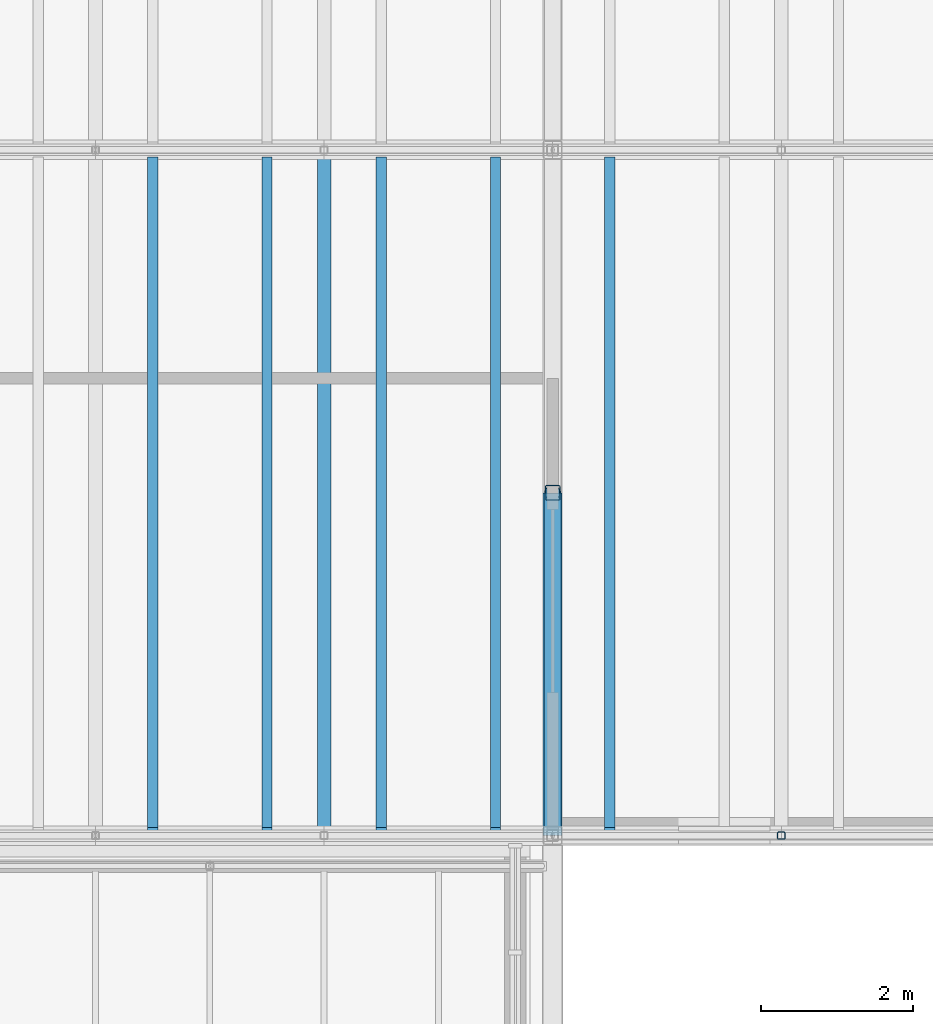
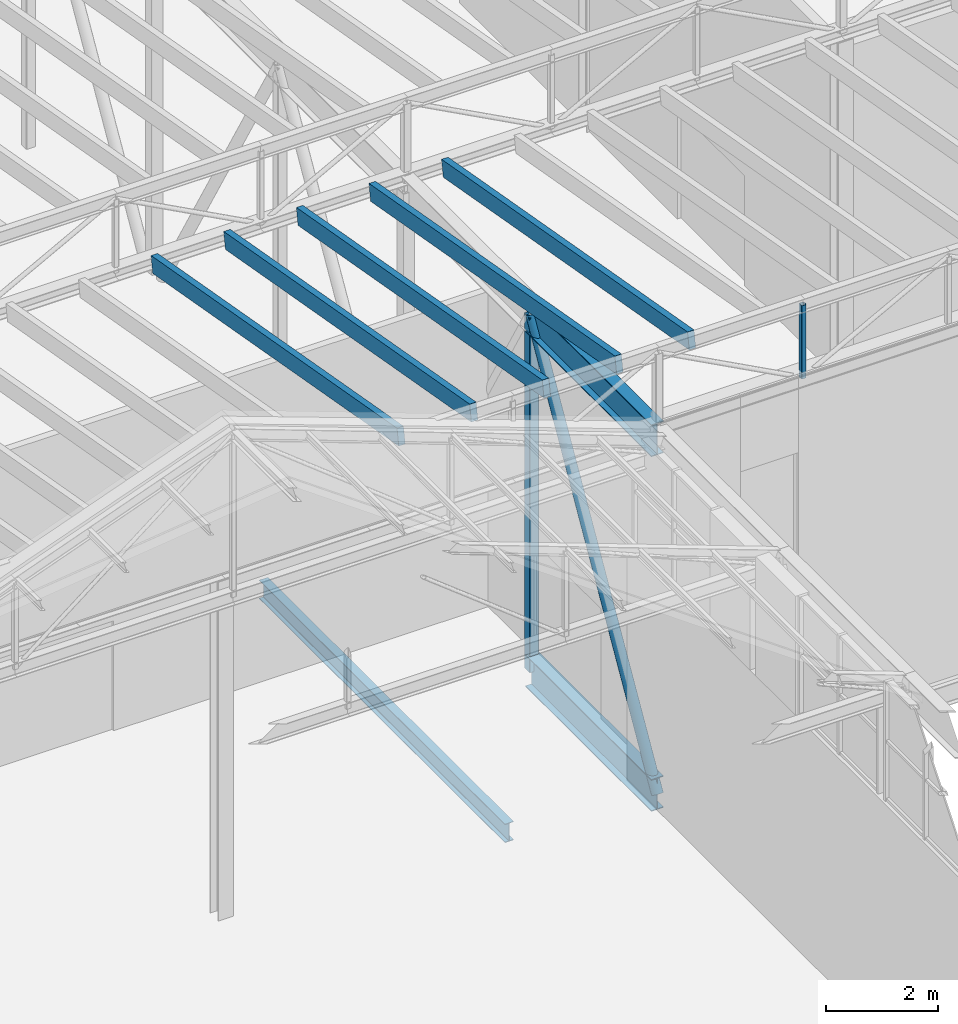
# One storey, part 32 of 90: 10 members, 1 beam.
"""IFC4 building model written with IfcOpenShell, lengths in metres."""

from ifc_helpers import new_model, si_unit, direction, frame, origin, origin_2d, place, context, subcontext, project, spatial, rectangle, hollow_rectangle, hollow_circle, i_section, extrude, material, material_profile, profile_set, type_object, element, save


model = new_model("IFC4")

# Units and contexts
model_context = context("Model", 3, precision=1e-05, world=origin(), true_north=direction((0.0, 1.0)))
body_context = subcontext(model_context, "Body", "Model", "MODEL_VIEW")
ifc_project = project(units=[si_unit("LENGTHUNIT", "METRE"), si_unit("AREAUNIT", "SQUARE_METRE"), si_unit("VOLUMEUNIT", "CUBIC_METRE"), si_unit("PLANEANGLEUNIT", "RADIAN"), si_unit("MASSUNIT", "GRAM", prefix="KILO")], contexts=[model_context])

# Site, building, storey
site_placement = place(None, origin())
site = spatial("IfcSite", under=ifc_project, at=site_placement, CompositionType="ELEMENT")
building_placement = place(site_placement, origin())
building = spatial("IfcBuilding", under=site, at=building_placement, Name="Halyard Row Museum", CompositionType="ELEMENT")
storey_placement = place(building_placement, frame((0.0, 0.0, 13.39990234375)))
storey = spatial("IfcBuildingStorey", under=building, at=storey_placement, Name="L03", CompositionType="ELEMENT", Elevation=13.39990234375)

# Members
ifc_material_1 = material(Name="Glulam GL12 radiata pine", Category="wood")
ifc_material_profile_1 = material_profile(ifc_material_1, rectangle(XDim=0.135009765625, YDim=0.360107421875, at=origin_2d()), Name="GL12 135x360")
ifc_profile_set_1 = profile_set([ifc_material_profile_1], Name="Glulam GL12 radiata pine")
member_type_1 = type_object("IfcMemberType", Name="Rafter GL12 135x360", PredefinedType="RAFTER", material=ifc_profile_set_1)
for number, where, z_axis, x_axis, name in (
    (1, (48.75, 18.074462890625, 9.083984375), (0.0, 0.984562193919, -0.175035100209), (-1.0, 0.0, 0.0), "Rafter V1-T1a.15"),
    (2, (50.25, 18.074462890625, 9.083984375), (0.0, 0.984562193919, -0.175035100209), (-1.0, 0.0, 0.0), "Rafter V1-T1a.16"),
    (3, (51.75, 18.074462890625, 9.083984375), (0.0, 0.984562193919, -0.175035100209), (-1.0, 0.0, 0.0), "Rafter V1-T1a.17"),
    (4, (53.25, 18.074462890625, 9.083984375), (0.0, 0.984562193919, -0.175035100209), (-1.0, 0.0, 0.0), "Rafter V1-T1a.18"),
    (5, (54.75, 18.074462890625, 9.083984375), (0.0, 0.984562193919, -0.175035100209), (-1.0, 0.0, 0.0), "Rafter V1-T1a.19"),
):
    element("IfcMember", number, at=place(storey_placement, frame(where, z_axis=z_axis, x_axis=x_axis)), inside=storey, type_object=member_type_1, Name=name, PredefinedType="RAFTER", context=body_context, shape_type="SweptSolid", body=[
        extrude(rectangle(XDim=0.135009765625, YDim=0.360107421875, at=origin_2d()), origin(), (0.0, 0.0, 1.0), 8.9365234375),
    ])

# Beam
ifc_material_2 = material(Name="Steel Grade 300", Category="steel")
ifc_material_profile_2 = material_profile(ifc_material_2, i_section(OverallWidth=0.177978515625, OverallDepth=0.406494140625, WebThickness=0.0078125, FlangeThickness=0.0126953125, FilletRadius=0.011474609375, at=origin_2d()), Name="410UB59.7")
ifc_profile_set_2 = profile_set([ifc_material_profile_2], Name="Steel Grade 300")
beam_type = type_object("IfcBeamType", Name="Secondary beam 410UB59.7", PredefinedType="BEAM", material=ifc_profile_set_2)
beam_placement = place(storey_placement, frame((51.0, 18.1044921875, -0.3681640625), z_axis=(0.0, 1.0, 0.0), x_axis=(-1.0, 0.0, 0.0)))
element("IfcBeam", 6, at=beam_placement, inside=storey, type_object=beam_type, Name="Beam L03-090", PredefinedType="BEAM", context=body_context, shape_type="SweptSolid", body=[
    extrude(i_section(OverallWidth=0.177978515625, OverallDepth=0.406494140625, WebThickness=0.0078125, FlangeThickness=0.0126953125, FilletRadius=0.011474609375, at=origin_2d()), origin(), (0.0, 0.0, 1.0), 8.791015625),
])

# Members
ifc_material_3 = material(Name="Steel Grade 300", Category="steel")
ifc_material_profile_3 = material_profile(ifc_material_3, i_section(OverallWidth=0.25, OverallDepth=0.699951171875, WebThickness=0.010009765625, FlangeThickness=0.02001953125, at=origin_2d()), Name="700WB130")
ifc_profile_set_3 = profile_set([ifc_material_profile_3], Name="Steel Grade 300")
member_type_2 = type_object("IfcMemberType", Name="Transfer truss chord 700WB130 bottom", PredefinedType="CHORD", material=ifc_profile_set_3)
member_1_placement = place(storey_placement, frame((54.0, 18.0, -0.514892578125), z_axis=(0.0, 1.0, 0.0), x_axis=(-1.0, 0.0, 0.0)))
element("IfcMember", 7, at=member_1_placement, inside=storey, type_object=member_type_2, Name="TT2 bottom chord 5", PredefinedType="CHORD", context=body_context, shape_type="SweptSolid", body=[
    extrude(i_section(OverallWidth=0.25, OverallDepth=0.699951171875, WebThickness=0.010009765625, FlangeThickness=0.02001953125, at=origin_2d()), origin(), (0.0, 0.0, 1.0), 4.5),
])
ifc_material_4 = material(Name="Steel Grade 300", Category="steel")
ifc_material_profile_4 = material_profile(ifc_material_4, i_section(OverallWidth=0.25, OverallDepth=0.699951171875, WebThickness=0.010009765625, FlangeThickness=0.02001953125, at=origin_2d()), Name="700WB130")
ifc_profile_set_4 = profile_set([ifc_material_profile_4], Name="Steel Grade 300")
member_type_3 = type_object("IfcMemberType", Name="Transfer truss chord 700WB130 top", PredefinedType="CHORD", material=ifc_profile_set_4)
member_2_placement = place(storey_placement, frame((54.0, 18.0, 7.22998046875), z_axis=(0.0, 1.0, 0.0), x_axis=(-1.0, 0.0, 0.0)))
element("IfcMember", 8, at=member_2_placement, inside=storey, type_object=member_type_3, Name="TT2 top chord 5", PredefinedType="CHORD", context=body_context, shape_type="SweptSolid", body=[
    extrude(i_section(OverallWidth=0.25, OverallDepth=0.699951171875, WebThickness=0.010009765625, FlangeThickness=0.02001953125, at=origin_2d()), origin(), (0.0, 0.0, 1.0), 4.5),
])
ifc_material_5 = material(Name="Steel Grade C350L0", Category="steel")
ifc_material_profile_5 = material_profile(ifc_material_5, hollow_circle(Radius=0.109619140625, WallThickness=0.00830078125, at=origin_2d()), Name="219.1x8.2CHS")
ifc_profile_set_5 = profile_set([ifc_material_profile_5], Name="Steel Grade C350L0")
member_type_4 = type_object("IfcMemberType", Name="Transfer truss diagonal 219.1x8.2CHS", PredefinedType="BRACE", material=ifc_profile_set_5)
member_3_placement = place(storey_placement, frame((54.0, 18.0, -0.514892578125), z_axis=(0.0, 0.502384046634, 0.864644591545), x_axis=(-1.0, 0.0, 0.0)))
element("IfcMember", 9, at=member_3_placement, inside=storey, type_object=member_type_4, Name="TT2 diagonal 5", PredefinedType="BRACE", context=body_context, shape_type="SweptSolid", body=[
    extrude(hollow_circle(Radius=0.109619140625, WallThickness=0.00830078125, at=origin_2d()), origin(), (0.0, 0.0, 1.0), 8.957275390625),
])
ifc_material_6 = material(Name="Steel Grade C350L0", Category="steel")
ifc_material_profile_6 = material_profile(ifc_material_6, hollow_rectangle(XDim=0.199951171875, YDim=0.199951171875, WallThickness=0.009033203125, InnerFilletRadius=0.013427734375, OuterFilletRadius=0.0224609375, at=origin_2d()), Name="200x200x9.0SHS")
ifc_profile_set_6 = profile_set([ifc_material_profile_6], Name="Steel Grade C350L0")
member_type_5 = type_object("IfcMemberType", Name="Transfer truss post 200x200x9.0SHS", PredefinedType="POST", material=ifc_profile_set_6)
member_4_placement = place(storey_placement, frame((54.0, 22.5, -0.514892578125), z_axis=(0.0, 0.0, 1.0), x_axis=(1.0, 0.0, 0.0)))
element("IfcMember", 10, at=member_4_placement, inside=storey, type_object=member_type_5, Name="TT2 post 6", PredefinedType="POST", context=body_context, shape_type="SweptSolid", body=[
    extrude(hollow_rectangle(XDim=0.199951171875, YDim=0.199951171875, WallThickness=0.009033203125, InnerFilletRadius=0.013427734375, OuterFilletRadius=0.0224609375, at=origin_2d()), origin(), (0.0, 0.0, 1.0), 7.744873046875),
])
ifc_material_7 = material(Name="Steel Grade C350L0", Category="steel")
ifc_material_profile_7 = material_profile(ifc_material_7, hollow_rectangle(XDim=0.10009765625, YDim=0.10009765625, WallThickness=0.006103515625, InnerFilletRadius=0.009033203125, OuterFilletRadius=0.014892578125, at=origin_2d()), Name="100x100x6.0SHS")
ifc_profile_set_7 = profile_set([ifc_material_profile_7], Name="Steel Grade C350L0")
member_type_6 = type_object("IfcMemberType", Name="Valley truss post 100x100x6.0SHS", PredefinedType="POST", material=ifc_profile_set_7)
member_5_placement = place(storey_placement, frame((57.0, 18.0, 7.527099609375), z_axis=(0.0, 0.0, 1.0), x_axis=(1.0, 0.0, 0.0)))
element("IfcMember", 11, at=member_5_placement, inside=storey, type_object=member_type_6, Name="V1-VT1 post 4.1", PredefinedType="POST", context=body_context, shape_type="SweptSolid", body=[
    extrude(hollow_rectangle(XDim=0.10009765625, YDim=0.10009765625, WallThickness=0.006103515625, InnerFilletRadius=0.009033203125, OuterFilletRadius=0.014892578125, at=origin_2d()), origin(), (0.0, 0.0, 1.0), 1.60400390625),
])

save(model, "model.ifc")
